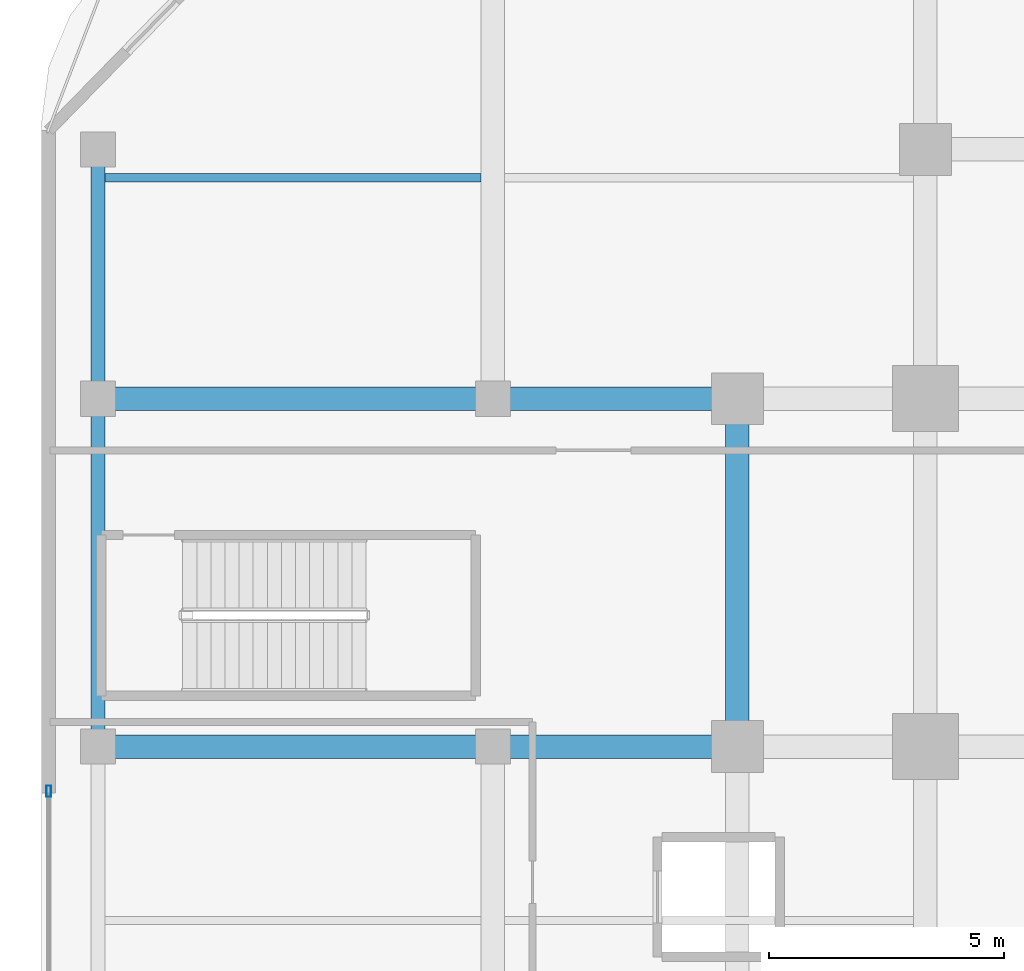
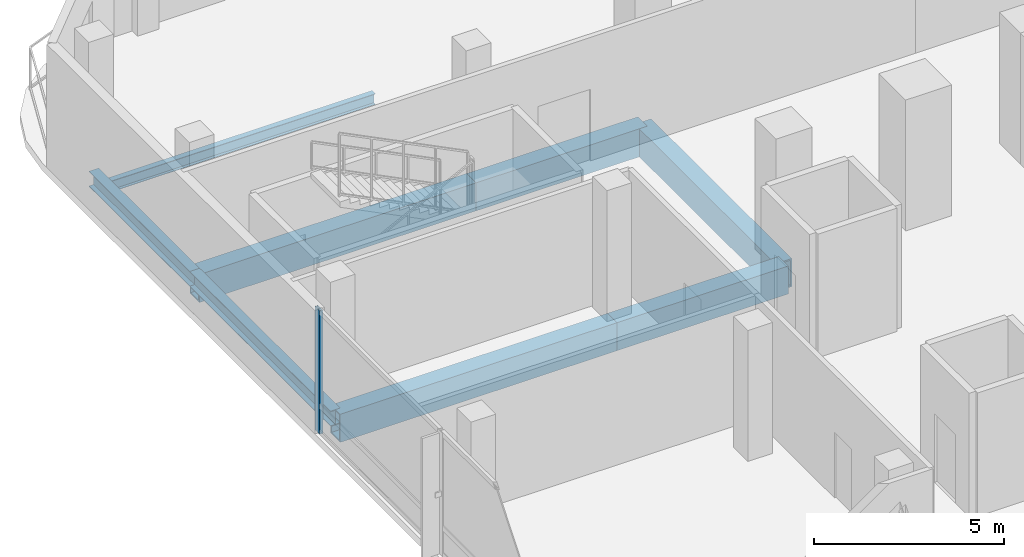
# One storey, part 4 of 19: 8 beams, 1 member, 1 element without a shape of its own.
"""IFC4 building model written with IfcOpenShell, lengths in metres."""

from ifc_helpers import new_model, si_unit, direction, frame, origin, origin_2d, place, context, subcontext, project, spatial, hollow_rectangle, i_section, extrude, material, layer, layer_set, material_profile, profile_set, type_object, element, aggregate, save


model = new_model("IFC4")

# Units and contexts
model_context = context("Model", 3, precision=1e-05, world=origin(), true_north=direction((0.0, 1.0)))
body_context = subcontext(model_context, "Body", "Model", "MODEL_VIEW")
ifc_project = project(units=[si_unit("LENGTHUNIT", "METRE"), si_unit("AREAUNIT", "SQUARE_METRE"), si_unit("VOLUMEUNIT", "CUBIC_METRE"), si_unit("PLANEANGLEUNIT", "RADIAN"), si_unit("MASSUNIT", "GRAM", prefix="KILO")], contexts=[model_context])

# Site, building, storey
site_placement = place(None, origin())
site = spatial("IfcSite", under=ifc_project, at=site_placement, CompositionType="ELEMENT")
building_placement = place(site_placement, origin())
building = spatial("IfcBuilding", under=site, at=building_placement, Name="Khorvyn Point Tower", CompositionType="ELEMENT")
storey_placement = place(building_placement, frame((0.0, 0.0, 13.199951171875)))
storey = spatial("IfcBuildingStorey", under=building, at=storey_placement, Name="L04", CompositionType="ELEMENT", Elevation=13.199951171875)

# Curtain wall, member
ifc_material_1 = material(Name="Anodised aluminium 6063-T6 and laminated Low-E glass", Category="aluminium")
ifc_layer = layer(ifc_material_1, 0.18994140625)
ifc_layer_set = layer_set([ifc_layer], Name="Stick-Built Low-E Podium Curtain Wall CW-SYS-01")
curtain_wall_type = type_object("IfcCurtainWallType", Name="Stick-Built Low-E Podium Curtain Wall CW-SYS-01", PredefinedType="NOTDEFINED", material=ifc_layer_set)
curtain_wall_placement = place(storey_placement, origin())
curtain_wall = element("IfcCurtainWall", 1, at=curtain_wall_placement, inside=storey, type_object=curtain_wall_type, Name="Curtain Wall", PredefinedType="NOTDEFINED")
ifc_material_2 = material(Name="Anodised aluminium 6063-T6", Category="aluminium")
ifc_material_profile_1 = material_profile(ifc_material_2, hollow_rectangle(XDim=0.10009765625, YDim=0.239990234375, WallThickness=0.0048828125, at=origin_2d()))
ifc_profile_set_1 = profile_set([ifc_material_profile_1], Name="Anodised aluminium 6063-T6 ALU-MUL-100x240")
member_type = type_object("IfcMemberType", Name="Anodised Aluminium 6063-T6 Mullion ALU-MUL-100x240", PredefinedType="MULLION", material=ifc_profile_set_1)
member_placement = place(storey_placement, frame((-33.449951171875, 6.449951171875, 0.0), z_axis=(0.0, 0.0, 1.0), x_axis=(-1.0, 0.0, 0.0)))
member = element("IfcMember", 2, at=member_placement, type_object=member_type, Name="Transom", PredefinedType="MULLION", context=body_context, shape_type="SweptSolid", body=[
    extrude(hollow_rectangle(XDim=0.10009765625, YDim=0.239990234375, WallThickness=0.0048828125, at=origin_2d()), origin(), (0.0, 0.0, 1.0), 3.9599609375),
])
aggregate(curtain_wall, [member])

# Beams
ifc_material_3 = material(Name="Steel S355", Category="steel")
ifc_material_profile_2 = material_profile(ifc_material_3, i_section(OverallWidth=0.175048828125, OverallDepth=0.35009765625, WebThickness=0.007080078125, FlangeThickness=0.010986328125, at=origin_2d()))
ifc_profile_set_2 = profile_set([ifc_material_profile_2], Name="Steel S355 H350x175x7x11")
beam_type_1 = type_object("IfcBeamType", Name="Steel S355 Joist H350x175x7x11", PredefinedType="JOIST", material=ifc_profile_set_2)
beam_1_placement = place(storey_placement, frame((-32.25, 19.5, -0.4150390625), z_axis=(1.0, 0.0, 0.0), x_axis=(0.0, 1.0, 0.0)))
element("IfcBeam", 3, at=beam_1_placement, inside=storey, type_object=beam_type_1, Name="Beam", PredefinedType="JOIST", context=body_context, shape_type="SweptSolid", body=[
    extrude(i_section(OverallWidth=0.175048828125, OverallDepth=0.35009765625, WebThickness=0.007080078125, FlangeThickness=0.010986328125, at=origin_2d()), origin(), (0.0, 0.0, 1.0), 8.0),
])
ifc_material_profile_3 = material_profile(ifc_material_3, i_section(OverallWidth=0.300048828125, OverallDepth=0.488037109375, WebThickness=0.010986328125, FlangeThickness=0.01806640625, at=origin_2d()))
ifc_profile_set_3 = profile_set([ifc_material_profile_3], Name="Steel S355 H488x300x11x18")
beam_type_2 = type_object("IfcBeamType", Name="Steel S355 Spandrel H488x300x11x18", PredefinedType="SPANDREL", material=ifc_profile_set_3)
beam_2_placement = place(storey_placement, frame((-32.39990234375, 7.39990234375, -0.48388671875), z_axis=(0.0, 1.0, 0.0), x_axis=(-1.0, 0.0, 0.0)))
element("IfcBeam", 4, at=beam_2_placement, inside=storey, type_object=beam_type_2, Name="Beam", PredefinedType="SPANDREL", context=body_context, shape_type="SweptSolid", body=[
    extrude(i_section(OverallWidth=0.300048828125, OverallDepth=0.488037109375, WebThickness=0.010986328125, FlangeThickness=0.01806640625, at=origin_2d()), origin(), (0.0, 0.0, 1.0), 7.400146484375),
])
beam_3_placement = place(storey_placement, frame((-32.39990234375, 14.800048828125, -0.48388671875), z_axis=(0.0, 1.0, 0.0), x_axis=(-1.0, 0.0, 0.0)))
element("IfcBeam", 5, at=beam_3_placement, inside=storey, type_object=beam_type_2, Name="Beam", PredefinedType="SPANDREL", context=body_context, shape_type="SweptSolid", body=[
    extrude(i_section(OverallWidth=0.300048828125, OverallDepth=0.488037109375, WebThickness=0.010986328125, FlangeThickness=0.01806640625, at=origin_2d()), origin(), (0.0, 0.0, 1.0), 5.300048828125),
])
ifc_material_4 = material(Name="Steel S450", Category="steel")
ifc_material_profile_4 = material_profile(ifc_material_4, hollow_rectangle(XDim=0.5, YDim=0.89990234375, WallThickness=0.0400390625, at=origin_2d()))
ifc_profile_set_4 = profile_set([ifc_material_profile_4], Name="Steel S450 BOX900x500x40")
beam_type_3 = type_object("IfcBeamType", Name="Steel S450 Beam BOX900x500x40", PredefinedType="BEAM", material=ifc_profile_set_4)
beam_4_placement = place(storey_placement, frame((-32.39990234375, 7.39990234375, -0.68994140625), z_axis=(1.0, 0.0, 0.0), x_axis=(0.0, 1.0, 0.0)))
element("IfcBeam", 6, at=beam_4_placement, inside=storey, type_object=beam_type_3, Name="Beam", PredefinedType="BEAM", context=body_context, shape_type="SweptSolid", body=[
    extrude(hollow_rectangle(XDim=0.5, YDim=0.89990234375, WallThickness=0.0400390625, at=origin_2d()), origin(), (0.0, 0.0, 1.0), 8.39990234375),
])
beam_5_placement = place(storey_placement, frame((-24.0, 7.39990234375, -0.68994140625), z_axis=(1.0, 0.0, 0.0), x_axis=(0.0, 1.0, 0.0)))
element("IfcBeam", 7, at=beam_5_placement, inside=storey, type_object=beam_type_3, Name="Beam", PredefinedType="BEAM", context=body_context, shape_type="SweptSolid", body=[
    extrude(hollow_rectangle(XDim=0.5, YDim=0.89990234375, WallThickness=0.0400390625, at=origin_2d()), origin(), (0.0, 0.0, 1.0), 5.199951171875),
])
beam_6_placement = place(storey_placement, frame((-32.39990234375, 14.800048828125, -0.68994140625), z_axis=(1.0, 0.0, 0.0), x_axis=(0.0, 1.0, 0.0)))
element("IfcBeam", 8, at=beam_6_placement, inside=storey, type_object=beam_type_3, Name="Beam", PredefinedType="BEAM", context=body_context, shape_type="SweptSolid", body=[
    extrude(hollow_rectangle(XDim=0.5, YDim=0.89990234375, WallThickness=0.0400390625, at=origin_2d()), origin(), (0.0, 0.0, 1.0), 8.39990234375),
])
beam_7_placement = place(storey_placement, frame((-24.0, 14.800048828125, -0.68994140625), z_axis=(1.0, 0.0, 0.0), x_axis=(0.0, 1.0, 0.0)))
element("IfcBeam", 9, at=beam_7_placement, inside=storey, type_object=beam_type_3, Name="Beam", PredefinedType="BEAM", context=body_context, shape_type="SweptSolid", body=[
    extrude(hollow_rectangle(XDim=0.5, YDim=0.89990234375, WallThickness=0.0400390625, at=origin_2d()), origin(), (0.0, 0.0, 1.0), 5.199951171875),
])
beam_8_placement = place(storey_placement, frame((-18.800048828125, 7.39990234375, -0.68994140625), z_axis=(0.0, 1.0, 0.0), x_axis=(-1.0, 0.0, 0.0)))
element("IfcBeam", 10, at=beam_8_placement, inside=storey, type_object=beam_type_3, Name="Beam", PredefinedType="BEAM", context=body_context, shape_type="SweptSolid", body=[
    extrude(hollow_rectangle(XDim=0.5, YDim=0.89990234375, WallThickness=0.0400390625, at=origin_2d()), origin(), (0.0, 0.0, 1.0), 7.400146484375),
])

save(model, "model.ifc")
